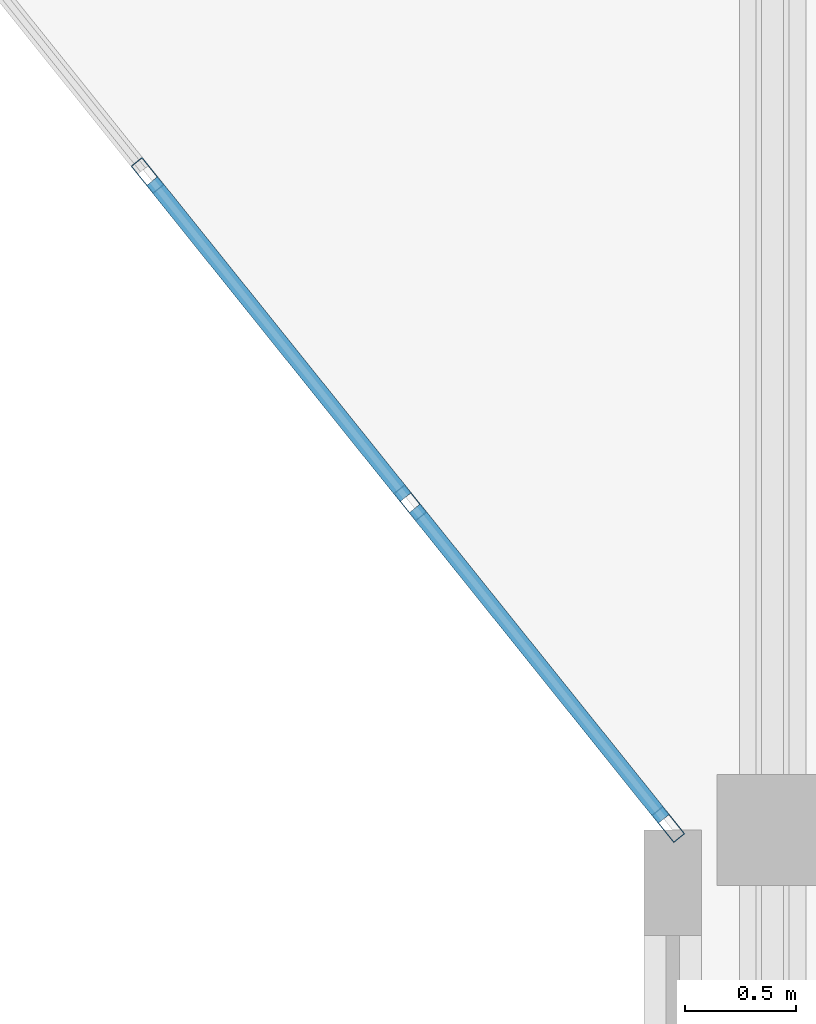
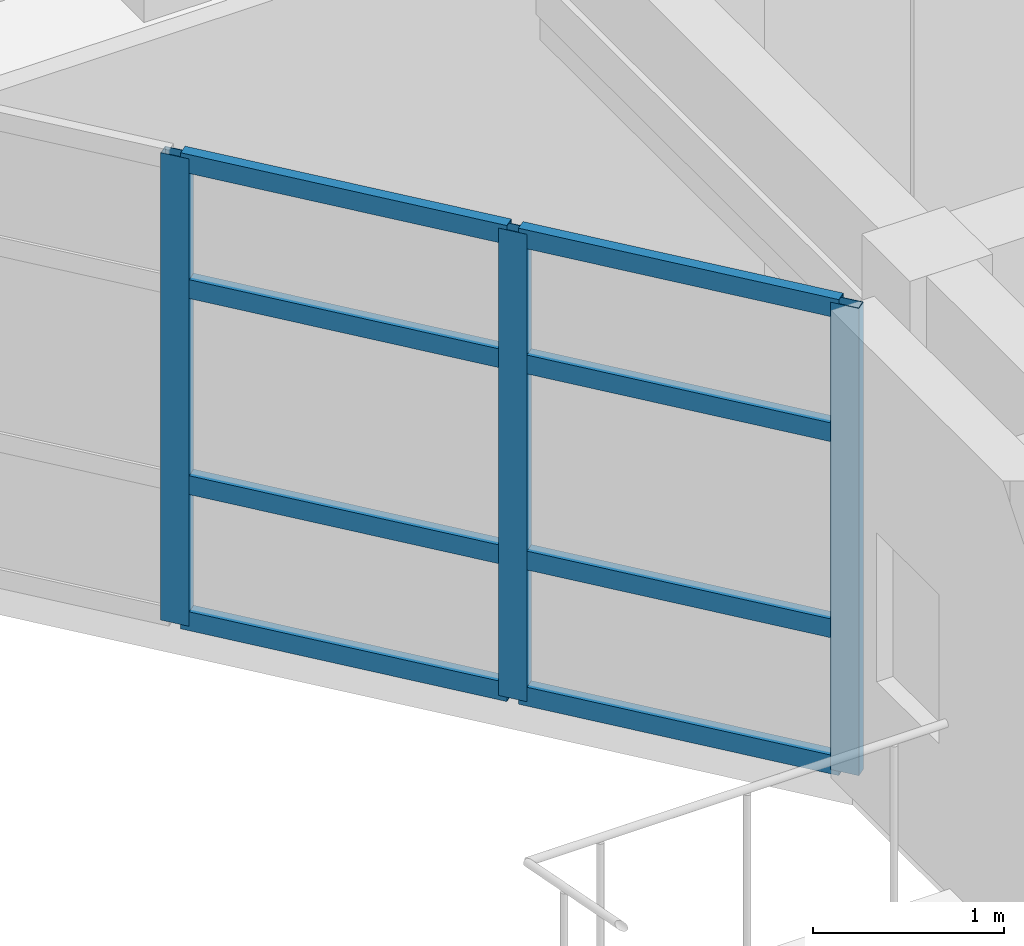
# One storey, part 7 of 30: 11 members, 1 element without a shape of its own.
"""IFC4 building model written with IfcOpenShell, lengths in metres."""

from ifc_helpers import new_model, si_unit, direction, frame, origin, origin_2d, place, context, subcontext, project, spatial, hollow_rectangle, extrude, material, layer, layer_set, material_profile, profile_set, type_object, element, aggregate, save


model = new_model("IFC4")

# Units and contexts
model_context = context("Model", 3, precision=1e-05, world=origin(), true_north=direction((0.0, 1.0)))
body_context = subcontext(model_context, "Body", "Model", "MODEL_VIEW")
ifc_project = project(units=[si_unit("LENGTHUNIT", "METRE"), si_unit("AREAUNIT", "SQUARE_METRE"), si_unit("VOLUMEUNIT", "CUBIC_METRE"), si_unit("PLANEANGLEUNIT", "RADIAN"), si_unit("MASSUNIT", "GRAM", prefix="KILO")], contexts=[model_context])

# Site, building, storey
site_placement = place(None, origin())
site = spatial("IfcSite", under=ifc_project, at=site_placement, CompositionType="ELEMENT")
building_placement = place(site_placement, origin())
building = spatial("IfcBuilding", under=site, at=building_placement, Name="Keldmere Railside Commons", CompositionType="ELEMENT")
storey_placement = place(building_placement, frame((0.0, 0.0, 36.159912109375)))
storey = spatial("IfcBuildingStorey", under=building, at=storey_placement, Name="L11", CompositionType="ELEMENT", Elevation=36.159912109375)

# Curtain wall, members
ifc_material = material(Name="Thermally Broken Aluminium", Category="aluminium")
ifc_layer = layer(ifc_material, 0.159912109375, Name="Court Chord Wintergarden CW 5400x2850")
ifc_layer_set = layer_set([ifc_layer], Name="Thermally Broken Aluminium")
curtain_wall_type = type_object("IfcCurtainWallType", Name="Court Chord Wintergarden CW 5400x2850", PredefinedType="NOTDEFINED", material=ifc_layer_set)
curtain_wall_placement = place(storey_placement, origin())
curtain_wall = element("IfcCurtainWall", 1, at=curtain_wall_placement, inside=storey, type_object=curtain_wall_type, Name="CW-13 CW-L11-192", PredefinedType="NOTDEFINED")
ifc_material_profile_1 = material_profile(ifc_material, hollow_rectangle(XDim=0.06494140625, YDim=0.159912109375, WallThickness=0.00390625, at=origin_2d()), Name="ALU-MULL-65x160")
ifc_profile_set_1 = profile_set([ifc_material_profile_1], Name="Thermally Broken Aluminium")
member_type_1 = type_object("IfcMemberType", Name="Unitised Curtain Wall Mullion 65x160", PredefinedType="MULLION", material=ifc_profile_set_1)
member_1_placement = place(storey_placement, frame((167.979736328125, 88.025390625, 0.0), z_axis=(0.0, 0.0, 1.0), x_axis=(-0.780009172323, -0.625768080915, 0.0)))
member_1 = element("IfcMember", 2, at=member_1_placement, type_object=member_type_1, Name="CW-13 mullion 1", PredefinedType="MULLION", context=body_context, shape_type="SweptSolid", body=[
    extrude(hollow_rectangle(XDim=0.06494140625, YDim=0.159912109375, WallThickness=0.00390625, at=origin_2d()), origin(), (0.0, 0.0, 1.0), 2.97998046875),
])
member_2_placement = place(storey_placement, frame((166.8154296875, 89.4765625, 0.0), z_axis=(0.0, 0.0, 1.0), x_axis=(-0.780009172323, -0.625768080915, 0.0)))
member_2 = element("IfcMember", 3, at=member_2_placement, type_object=member_type_1, Name="CW-13 mullion 2", PredefinedType="MULLION", context=body_context, shape_type="SweptSolid", body=[
    extrude(hollow_rectangle(XDim=0.06494140625, YDim=0.159912109375, WallThickness=0.00390625, at=origin_2d()), origin(), (0.0, 0.0, 1.0), 2.97998046875),
])
member_3_placement = place(storey_placement, frame((165.630615234375, 90.953369140625, 0.0), z_axis=(0.0, 0.0, 1.0), x_axis=(-0.780009172323, -0.625768080915, 0.0)))
member_3 = element("IfcMember", 4, at=member_3_placement, type_object=member_type_1, Name="CW-13 mullion 3", PredefinedType="MULLION", context=body_context, shape_type="SweptSolid", body=[
    extrude(hollow_rectangle(XDim=0.06494140625, YDim=0.159912109375, WallThickness=0.00390625, at=origin_2d()), origin(), (0.0, 0.0, 1.0), 2.97998046875),
])
ifc_material_profile_2 = material_profile(ifc_material, hollow_rectangle(XDim=0.06494140625, YDim=0.1201171875, WallThickness=0.00390625, at=origin_2d()), Name="ALU-TRAN-65x120")
ifc_profile_set_2 = profile_set([ifc_material_profile_2], Name="Thermally Broken Aluminium")
member_type_2 = type_object("IfcMemberType", Name="Unitised Curtain Wall Transom 65x120", PredefinedType="USERDEFINED", material=ifc_profile_set_2)
member_4_placement = place(storey_placement, frame((167.959228515625, 88.05078125, 0.032470703125), z_axis=(-0.625722553313, 0.780045694992, 0.0), x_axis=(-0.780045694992, -0.625722553313, 0.0)))
member_4 = element("IfcMember", 5, at=member_4_placement, type_object=member_type_2, Name="CW-13 transom 1.1", ObjectType="TRANSOM", PredefinedType="USERDEFINED", context=body_context, shape_type="SweptSolid", body=[
    extrude(hollow_rectangle(XDim=0.06494140625, YDim=0.1201171875, WallThickness=0.00390625, at=origin_2d()), origin(), (0.0, 0.0, 1.0), 1.795654296875),
])
member_5_placement = place(storey_placement, frame((167.959228515625, 88.05078125, 0.900146484375), z_axis=(-0.625722553313, 0.780045694992, 0.0), x_axis=(-0.780045694992, -0.625722553313, 0.0)))
member_5 = element("IfcMember", 6, at=member_5_placement, type_object=member_type_2, Name="CW-13 transom 1.2", ObjectType="TRANSOM", PredefinedType="USERDEFINED", context=body_context, shape_type="SweptSolid", body=[
    extrude(hollow_rectangle(XDim=0.06494140625, YDim=0.1201171875, WallThickness=0.00390625, at=origin_2d()), origin(), (0.0, 0.0, 1.0), 1.795654296875),
])
member_6_placement = place(storey_placement, frame((167.959228515625, 88.05078125, 2.150146484375), z_axis=(-0.625722553313, 0.780045694992, 0.0), x_axis=(-0.780045694992, -0.625722553313, 0.0)))
member_6 = element("IfcMember", 7, at=member_6_placement, type_object=member_type_2, Name="CW-13 transom 1.3", ObjectType="TRANSOM", PredefinedType="USERDEFINED", context=body_context, shape_type="SweptSolid", body=[
    extrude(hollow_rectangle(XDim=0.06494140625, YDim=0.1201171875, WallThickness=0.00390625, at=origin_2d()), origin(), (0.0, 0.0, 1.0), 1.795654296875),
])
member_7_placement = place(storey_placement, frame((167.959228515625, 88.05078125, 2.947509765625), z_axis=(-0.625722553313, 0.780045694992, 0.0), x_axis=(-0.780045694992, -0.625722553313, 0.0)))
member_7 = element("IfcMember", 8, at=member_7_placement, type_object=member_type_2, Name="CW-13 transom 1.4", ObjectType="TRANSOM", PredefinedType="USERDEFINED", context=body_context, shape_type="SweptSolid", body=[
    extrude(hollow_rectangle(XDim=0.06494140625, YDim=0.1201171875, WallThickness=0.00390625, at=origin_2d()), origin(), (0.0, 0.0, 1.0), 1.795654296875),
])
member_8_placement = place(storey_placement, frame((166.794921875, 89.501953125, 0.032470703125), z_axis=(-0.625688033635, 0.78007338409, 0.0), x_axis=(-0.78007338409, -0.625688033635, 0.0)))
member_8 = element("IfcMember", 9, at=member_8_placement, type_object=member_type_2, Name="CW-13 transom 2.1", ObjectType="TRANSOM", PredefinedType="USERDEFINED", context=body_context, shape_type="SweptSolid", body=[
    extrude(hollow_rectangle(XDim=0.06494140625, YDim=0.1201171875, WallThickness=0.00390625, at=origin_2d()), origin(), (0.0, 0.0, 1.0), 1.828125),
])
member_9_placement = place(storey_placement, frame((166.794921875, 89.501953125, 0.900146484375), z_axis=(-0.625688033635, 0.78007338409, 0.0), x_axis=(-0.78007338409, -0.625688033635, 0.0)))
member_9 = element("IfcMember", 10, at=member_9_placement, type_object=member_type_2, Name="CW-13 transom 2.2", ObjectType="TRANSOM", PredefinedType="USERDEFINED", context=body_context, shape_type="SweptSolid", body=[
    extrude(hollow_rectangle(XDim=0.06494140625, YDim=0.1201171875, WallThickness=0.00390625, at=origin_2d()), origin(), (0.0, 0.0, 1.0), 1.828125),
])
member_10_placement = place(storey_placement, frame((166.794921875, 89.501953125, 2.150146484375), z_axis=(-0.625688033635, 0.78007338409, 0.0), x_axis=(-0.78007338409, -0.625688033635, 0.0)))
member_10 = element("IfcMember", 11, at=member_10_placement, type_object=member_type_2, Name="CW-13 transom 2.3", ObjectType="TRANSOM", PredefinedType="USERDEFINED", context=body_context, shape_type="SweptSolid", body=[
    extrude(hollow_rectangle(XDim=0.06494140625, YDim=0.1201171875, WallThickness=0.00390625, at=origin_2d()), origin(), (0.0, 0.0, 1.0), 1.828125),
])
member_11_placement = place(storey_placement, frame((166.794921875, 89.501953125, 2.947509765625), z_axis=(-0.625688033635, 0.78007338409, 0.0), x_axis=(-0.78007338409, -0.625688033635, 0.0)))
member_11 = element("IfcMember", 12, at=member_11_placement, type_object=member_type_2, Name="CW-13 transom 2.4", ObjectType="TRANSOM", PredefinedType="USERDEFINED", context=body_context, shape_type="SweptSolid", body=[
    extrude(hollow_rectangle(XDim=0.06494140625, YDim=0.1201171875, WallThickness=0.00390625, at=origin_2d()), origin(), (0.0, 0.0, 1.0), 1.828125),
])
aggregate(curtain_wall, [member_1, member_2, member_3, member_4, member_5, member_6, member_7, member_8, member_9, member_10, member_11])

save(model, "model.ifc")
